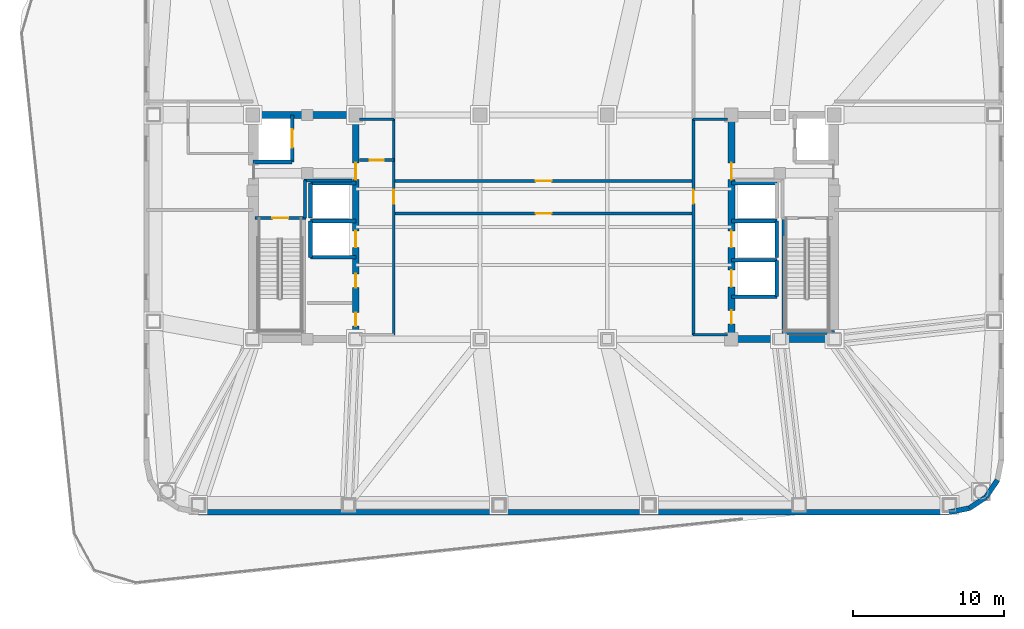
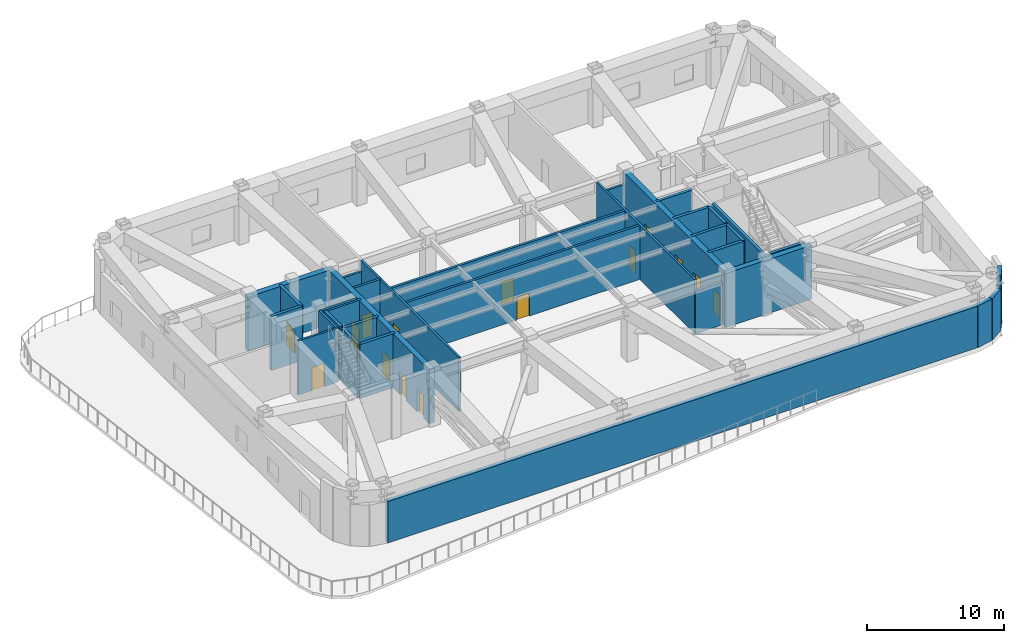
# One storey, part 4 of 10: 34 walls, 15 doors, 15 openings.
"""IFC4 building model written with IfcOpenShell, lengths in metres."""

from ifc_helpers import new_model, si_unit, direction, frame, frame_2d, origin, place, context, subcontext, project, spatial, rectangle, extrude, material, layer, layer_set, type_object, element, fill, save


model = new_model("IFC4")

# Units and contexts
model_context = context("Model", 3, precision=1e-05, world=origin(), true_north=direction((0.0, 1.0)))
body_context = subcontext(model_context, "Body", "Model", "MODEL_VIEW")
ifc_project = project(units=[si_unit("LENGTHUNIT", "METRE"), si_unit("AREAUNIT", "SQUARE_METRE"), si_unit("VOLUMEUNIT", "CUBIC_METRE"), si_unit("PLANEANGLEUNIT", "RADIAN"), si_unit("MASSUNIT", "GRAM", prefix="KILO")], contexts=[model_context])

# Site, building, storey
site_placement = place(None, origin())
site = spatial("IfcSite", under=ifc_project, at=site_placement, CompositionType="ELEMENT")
building_placement = place(site_placement, origin())
building = spatial("IfcBuilding", under=site, at=building_placement, Name="Voryun Gate Residences", CompositionType="ELEMENT")
storey_placement = place(building_placement, frame((0.0, 0.0, 195.0)))
storey = spatial("IfcBuildingStorey", under=building, at=storey_placement, Name="L48", CompositionType="ELEMENT", Elevation=195.0)

# Wall
ifc_material_1 = material(Name="Concrete C50/60", Category="concrete")
ifc_layer_1 = layer(ifc_material_1, 0.449951171875, Name="CW_CORE_450")
ifc_layer_set_1 = layer_set([ifc_layer_1], Name="Concrete C50/60")
wall_type_1 = type_object("IfcWallType", Name="CW_CORE_450", PredefinedType="SHEAR", material=ifc_layer_set_1)
wall_1_placement = place(storey_placement, frame((-19.425048828125, 7.39990234375, 0.0), z_axis=(0.0, 0.0, 1.0), x_axis=(1.0, 0.0, 0.0)))
element("IfcWall", 1, at=wall_1_placement, inside=storey, type_object=wall_type_1, Name="L48 Core shear wall CW-L48-WN", PredefinedType="SHEAR", context=body_context, shape_type="SweptSolid", body=[
    extrude(rectangle(XDim=7.25, YDim=0.449951171875, at=frame_2d((3.625, 0.0))), origin(), (0.0, 0.0, 1.0), 4.800048828125),
])

# Wall, openings, doors
wall_2_placement = place(storey_placement, frame((-12.39990234375, -7.39990234375, 0.0), z_axis=(0.0, 0.0, 1.0), x_axis=(0.0, 1.0, 0.0)))
wall_2 = element("IfcWall", 2, at=wall_2_placement, inside=storey, type_object=wall_type_1, Name="L48 Core shear wall CW-L48-WE", PredefinedType="SHEAR", context=body_context, shape_type="SweptSolid", body=[
    extrude(rectangle(XDim=14.7998046875, YDim=0.449951171875, at=frame_2d((7.39990234375, 0.0))), origin(), (0.0, 0.0, 1.0), 4.800048828125),
])
opening_1_placement = place(wall_2_placement, frame((6.050048828125, 0.0, 0.0)))
opening_1 = element("IfcOpeningElement", 3, at=opening_1_placement, cuts=wall_2, Name="Opening LD2", PredefinedType="OPENING", context=body_context, shape_type="SweptSolid", body=[
    extrude(rectangle(XDim=1.10009765625, YDim=2.050048828125, at=frame_2d((0.550048828125, 1.02490234375))), frame((0.0, 0.235107421875, 0.0), z_axis=(0.0, -1.0, 0.0), x_axis=(1.0, 0.0, 0.0)), (0.0, 0.0, 1.0), 0.469970703125),
])
opening_2_placement = place(wall_2_placement, frame((10.530029296875, 0.0, 0.0)))
opening_2 = element("IfcOpeningElement", 4, at=opening_2_placement, cuts=wall_2, Name="Opening D-FD60-2", PredefinedType="OPENING", context=body_context, shape_type="SweptSolid", body=[
    extrude(rectangle(XDim=1.10009765625, YDim=2.050048828125, at=frame_2d((0.550048828125, 1.02490234375))), frame((0.0, 0.235107421875, 0.0), z_axis=(0.0, -1.0, 0.0), x_axis=(1.0, 0.0, 0.0)), (0.0, 0.0, 1.0), 0.469970703125),
])
opening_3_placement = place(wall_2_placement, frame((0.85009765625, 0.0, 0.0)))
opening_3 = element("IfcOpeningElement", 5, at=opening_3_placement, cuts=wall_2, Name="Opening D-FD60-4", PredefinedType="OPENING", context=body_context, shape_type="SweptSolid", body=[
    extrude(rectangle(XDim=0.89990234375, YDim=2.050048828125, at=frame_2d((0.449951171875, 1.02490234375))), frame((0.0, 0.235107421875, 0.0), z_axis=(0.0, -1.0, 0.0), x_axis=(1.0, 0.0, 0.0)), (0.0, 0.0, 1.0), 0.469970703125),
])
opening_4_placement = place(wall_2_placement, frame((3.39990234375, 0.0, 0.0)))
opening_4 = element("IfcOpeningElement", 6, at=opening_4_placement, cuts=wall_2, Name="Opening D-FD60-4", PredefinedType="OPENING", context=body_context, shape_type="SweptSolid", body=[
    extrude(rectangle(XDim=0.89990234375, YDim=2.050048828125, at=frame_2d((0.449951171875, 1.02490234375))), frame((0.0, 0.235107421875, 0.0), z_axis=(0.0, -1.0, 0.0), x_axis=(1.0, 0.0, 0.0)), (0.0, 0.0, 1.0), 0.469970703125),
])
ifc_material_2 = material(Name="Painted steel fire door", Category="steel")
door_type_1 = type_object("IfcDoorType", Name="DR_FD60_FFLOB_1100", OperationType="NOTDEFINED", PredefinedType="DOOR", material=ifc_material_2)
door_1_placement = place(opening_2_placement, origin())
door_1 = element("IfcDoor", 7, at=door_1_placement, inside=storey, type_object=door_type_1, Name="Door DR-L48-CLOB-W", OperationType="SINGLE_SWING_LEFT", OverallHeight=2.050048828125, OverallWidth=1.10009765625, PredefinedType="DOOR", context=body_context, shape_type="SweptSolid", body=[
    extrude(rectangle(XDim=1.10009765625, YDim=2.050048828125, at=frame_2d((0.550048828125, 1.02490234375))), frame((0.0, 0.02490234375, 0.0), z_axis=(0.0, -1.0, 0.0), x_axis=(1.0, 0.0, 0.0)), (0.0, 0.0, 1.0), 0.050048828125),
])
fill(opening_2, door_1)
ifc_material_3 = material(Name="Painted steel fire door", Category="steel")
door_type_2 = type_object("IfcDoorType", Name="DR_FD60_RISER_900", OperationType="NOTDEFINED", PredefinedType="DOOR", material=ifc_material_3)
door_2_placement = place(opening_3_placement, origin())
door_2 = element("IfcDoor", 8, at=door_2_placement, inside=storey, type_object=door_type_2, Name="Door DR-L48-RECWB1", OperationType="SINGLE_SWING_LEFT", OverallHeight=2.050048828125, OverallWidth=0.89990234375, PredefinedType="DOOR", context=body_context, shape_type="SweptSolid", body=[
    extrude(rectangle(XDim=0.89990234375, YDim=2.050048828125, at=frame_2d((0.449951171875, 1.02490234375))), frame((0.0, 0.02490234375, 0.0), z_axis=(0.0, -1.0, 0.0), x_axis=(1.0, 0.0, 0.0)), (0.0, 0.0, 1.0), 0.050048828125),
])
fill(opening_3, door_2)
door_3_placement = place(opening_4_placement, origin())
door_3 = element("IfcDoor", 9, at=door_3_placement, inside=storey, type_object=door_type_2, Name="Door DR-L48-RECWB2", OperationType="SINGLE_SWING_RIGHT", OverallHeight=2.050048828125, OverallWidth=0.89990234375, PredefinedType="DOOR", context=body_context, shape_type="SweptSolid", body=[
    extrude(rectangle(XDim=0.89990234375, YDim=2.050048828125, at=frame_2d((0.449951171875, 1.02490234375))), frame((0.0, 0.02490234375, 0.0), z_axis=(0.0, -1.0, 0.0), x_axis=(1.0, 0.0, 0.0)), (0.0, 0.0, 1.0), 0.050048828125),
])
fill(opening_4, door_3)
ifc_material_4 = material(Name="Anodised aluminium", Category="aluminium")
door_type_3 = type_object("IfcDoorType", Name="DR_LD_PASS_1100", OperationType="NOTDEFINED", PredefinedType="DOOR", material=ifc_material_4)
door_4_placement = place(opening_1_placement, origin())
door_4 = element("IfcDoor", 10, at=door_4_placement, inside=storey, type_object=door_type_3, Name="Lift EL-P4 sliding landing door L48", OperationType="SLIDING_TO_LEFT", OverallHeight=2.050048828125, OverallWidth=1.10009765625, PredefinedType="DOOR", context=body_context, shape_type="SweptSolid", body=[
    extrude(rectangle(XDim=1.10009765625, YDim=2.050048828125, at=frame_2d((0.550048828125, 1.02490234375))), frame((0.0, 0.02490234375, 0.0), z_axis=(0.0, -1.0, 0.0), x_axis=(1.0, 0.0, 0.0)), (0.0, 0.0, 1.0), 0.050048828125),
])
fill(opening_1, door_4)

# Wall
wall_3_placement = place(storey_placement, frame((12.175048828125, -7.39990234375, 0.0), z_axis=(0.0, 0.0, 1.0), x_axis=(1.0, 0.0, 0.0)))
element("IfcWall", 11, at=wall_3_placement, inside=storey, type_object=wall_type_1, Name="L48 Core shear wall CW-L48-ES", PredefinedType="SHEAR", context=body_context, shape_type="SweptSolid", body=[
    extrude(rectangle(XDim=7.25, YDim=0.449951171875, at=frame_2d((3.625, 0.0))), origin(), (0.0, 0.0, 1.0), 4.800048828125),
])

# Wall, openings, doors
wall_4_placement = place(storey_placement, frame((12.39990234375, -7.39990234375, 0.0), z_axis=(0.0, 0.0, 1.0), x_axis=(0.0, 1.0, 0.0)))
wall_4 = element("IfcWall", 12, at=wall_4_placement, inside=storey, type_object=wall_type_1, Name="L48 Core shear wall CW-L48-EW", PredefinedType="SHEAR", context=body_context, shape_type="SweptSolid", body=[
    extrude(rectangle(XDim=14.7998046875, YDim=0.449951171875, at=frame_2d((7.39990234375, 0.0))), origin(), (0.0, 0.0, 1.0), 4.800048828125),
])
opening_5_placement = place(wall_4_placement, frame((3.449951171875, 0.0, 0.0)))
opening_5 = element("IfcOpeningElement", 13, at=opening_5_placement, cuts=wall_4, Name="Opening LD2", PredefinedType="OPENING", context=body_context, shape_type="SweptSolid", body=[
    extrude(rectangle(XDim=1.10009765625, YDim=2.050048828125, at=frame_2d((0.550048828125, 1.02490234375))), frame((0.0, 0.235107421875, 0.0), z_axis=(0.0, -1.0, 0.0), x_axis=(1.0, 0.0, 0.0)), (0.0, 0.0, 1.0), 0.469970703125),
])
opening_6_placement = place(wall_4_placement, frame((6.050048828125, 0.0, 0.0)))
opening_6 = element("IfcOpeningElement", 14, at=opening_6_placement, cuts=wall_4, Name="Opening LD2", PredefinedType="OPENING", context=body_context, shape_type="SweptSolid", body=[
    extrude(rectangle(XDim=1.10009765625, YDim=2.050048828125, at=frame_2d((0.550048828125, 1.02490234375))), frame((0.0, 0.235107421875, 0.0), z_axis=(0.0, -1.0, 0.0), x_axis=(1.0, 0.0, 0.0)), (0.0, 0.0, 1.0), 0.469970703125),
])
opening_7_placement = place(wall_4_placement, frame((10.530029296875, 0.0, 0.0)))
opening_7 = element("IfcOpeningElement", 15, at=opening_7_placement, cuts=wall_4, Name="Opening D-FD60-2", PredefinedType="OPENING", context=body_context, shape_type="SweptSolid", body=[
    extrude(rectangle(XDim=1.10009765625, YDim=2.050048828125, at=frame_2d((0.550048828125, 1.02490234375))), frame((0.0, 0.235107421875, 0.0), z_axis=(0.0, -1.0, 0.0), x_axis=(1.0, 0.0, 0.0)), (0.0, 0.0, 1.0), 0.469970703125),
])
opening_8_placement = place(wall_4_placement, frame((1.0, 0.0, 0.0)))
opening_8 = element("IfcOpeningElement", 16, at=opening_8_placement, cuts=wall_4, Name="Opening D-FD60-4", PredefinedType="OPENING", context=body_context, shape_type="SweptSolid", body=[
    extrude(rectangle(XDim=0.89990234375, YDim=2.050048828125, at=frame_2d((0.449951171875, 1.02490234375))), frame((0.0, 0.235107421875, 0.0), z_axis=(0.0, -1.0, 0.0), x_axis=(1.0, 0.0, 0.0)), (0.0, 0.0, 1.0), 0.469970703125),
])
door_5_placement = place(opening_7_placement, origin())
door_5 = element("IfcDoor", 17, at=door_5_placement, inside=storey, type_object=door_type_1, Name="Door DR-L48-CLOB-E", OperationType="SINGLE_SWING_RIGHT", OverallHeight=2.050048828125, OverallWidth=1.10009765625, PredefinedType="DOOR", context=body_context, shape_type="SweptSolid", body=[
    extrude(rectangle(XDim=1.10009765625, YDim=2.050048828125, at=frame_2d((0.550048828125, 1.02490234375))), frame((0.0, 0.02490234375, 0.0), z_axis=(0.0, -1.0, 0.0), x_axis=(1.0, 0.0, 0.0)), (0.0, 0.0, 1.0), 0.050048828125),
])
fill(opening_7, door_5)
door_6_placement = place(opening_8_placement, origin())
door_6 = element("IfcDoor", 18, at=door_6_placement, inside=storey, type_object=door_type_2, Name="Door DR-L48-RECE1", OperationType="SINGLE_SWING_RIGHT", OverallHeight=2.050048828125, OverallWidth=0.89990234375, PredefinedType="DOOR", context=body_context, shape_type="SweptSolid", body=[
    extrude(rectangle(XDim=0.89990234375, YDim=2.050048828125, at=frame_2d((0.449951171875, 1.02490234375))), frame((0.0, 0.02490234375, 0.0), z_axis=(0.0, -1.0, 0.0), x_axis=(1.0, 0.0, 0.0)), (0.0, 0.0, 1.0), 0.050048828125),
])
fill(opening_8, door_6)
door_7_placement = place(opening_5_placement, origin())
door_7 = element("IfcDoor", 19, at=door_7_placement, inside=storey, type_object=door_type_3, Name="Lift EL-P5 sliding landing door L48", OperationType="SLIDING_TO_LEFT", OverallHeight=2.050048828125, OverallWidth=1.10009765625, PredefinedType="DOOR", context=body_context, shape_type="SweptSolid", body=[
    extrude(rectangle(XDim=1.10009765625, YDim=2.050048828125, at=frame_2d((0.550048828125, 1.02490234375))), frame((0.0, 0.02490234375, 0.0), z_axis=(0.0, -1.0, 0.0), x_axis=(1.0, 0.0, 0.0)), (0.0, 0.0, 1.0), 0.050048828125),
])
fill(opening_5, door_7)
door_8_placement = place(opening_6_placement, origin())
door_8 = element("IfcDoor", 20, at=door_8_placement, inside=storey, type_object=door_type_3, Name="Lift EL-P6 sliding landing door L48", OperationType="SLIDING_TO_LEFT", OverallHeight=2.050048828125, OverallWidth=1.10009765625, PredefinedType="DOOR", context=body_context, shape_type="SweptSolid", body=[
    extrude(rectangle(XDim=1.10009765625, YDim=2.050048828125, at=frame_2d((0.550048828125, 1.02490234375))), frame((0.0, 0.02490234375, 0.0), z_axis=(0.0, -1.0, 0.0), x_axis=(1.0, 0.0, 0.0)), (0.0, 0.0, 1.0), 0.050048828125),
])
fill(opening_6, door_8)

# Wall, opening, door
ifc_material_5 = material(Name="Gypsum acoustic fireboard")
ifc_layer_2 = layer(ifc_material_5, 0.179931640625, Name="W_CORR_RATED_180")
ifc_layer_set_2 = layer_set([ifc_layer_2], Name="Gypsum acoustic fireboard")
wall_type_2 = type_object("IfcWallType", Name="W_CORR_RATED_180", PredefinedType="PARTITIONING", material=ifc_layer_set_2)
wall_5_placement = place(storey_placement, frame((-19.06005859375, 0.60009765625, 0.0), z_axis=(0.0, 0.0, 1.0), x_axis=(1.0, 0.0, 0.0)))
wall_5 = element("IfcWall", 21, at=wall_5_placement, inside=storey, type_object=wall_type_2, Name="Partition wall WP-L48-STV-W", PredefinedType="PARTITIONING", context=body_context, shape_type="SweptSolid", body=[
    extrude(rectangle(XDim=3.360107421875, YDim=0.179931640625, at=frame_2d((1.68017578125, 0.0))), origin(), (0.0, 0.0, 1.0), 4.800048828125),
])
opening_9_placement = place(wall_5_placement, frame((1.155029296875, 0.0, 0.0)))
opening_9 = element("IfcOpeningElement", 22, at=opening_9_placement, cuts=wall_5, Name="Opening D-FD60-1", PredefinedType="OPENING", context=body_context, shape_type="SweptSolid", body=[
    extrude(rectangle(XDim=1.050048828125, YDim=2.050048828125, at=frame_2d((0.52490234375, 1.02490234375))), frame((0.0, 0.099853515625, 0.0), z_axis=(0.0, -1.0, 0.0), x_axis=(1.0, 0.0, 0.0)), (0.0, 0.0, 1.0), 0.199951171875),
])
ifc_material_6 = material(Name="Painted steel fire door", Category="steel")
door_type_4 = type_object("IfcDoorType", Name="DR_FD60_STAIR_1050", OperationType="NOTDEFINED", PredefinedType="DOOR", material=ifc_material_6)
door_9_placement = place(opening_9_placement, origin())
door_9 = element("IfcDoor", 23, at=door_9_placement, inside=storey, type_object=door_type_4, Name="Door DR-L48-ST-W", OperationType="SINGLE_SWING_LEFT", OverallHeight=2.050048828125, OverallWidth=1.050048828125, PredefinedType="DOOR", context=body_context, shape_type="SweptSolid", body=[
    extrude(rectangle(XDim=1.050048828125, YDim=2.050048828125, at=frame_2d((0.52490234375, 1.02490234375))), frame((0.0, 0.02490234375, 0.0), z_axis=(0.0, -1.0, 0.0), x_axis=(1.0, 0.0, 0.0)), (0.0, 0.0, 1.0), 0.050048828125),
])
fill(opening_9, door_9)

# Walls
for number, where, z_axis, x_axis, name in (
    (24, (-12.14990234375, 7.1201171875, 0.0), (0.0, 0.0, 1.0), (1.0, 0.0, 0.0), "Partition wall WP-L48-PLBN-W"),
    (25, (9.8798828125, 7.1201171875, 0.0), (0.0, 0.0, 1.0), (1.0, 0.0, 0.0), "Partition wall WP-L48-PLBN-E"),
    (26, (9.8798828125, -7.1201171875, 0.0), (0.0, 0.0, 1.0), (1.0, 0.0, 0.0), "Partition wall WP-L48-PLBS-E"),
):
    element("IfcWall", number, at=place(storey_placement, frame(where, z_axis=z_axis, x_axis=x_axis)), inside=storey, type_object=wall_type_2, Name=name, PredefinedType="PARTITIONING", context=body_context, shape_type="SweptSolid", body=[
        extrude(rectangle(XDim=2.27001953125, YDim=0.179931640625, at=frame_2d((1.135009765625, 0.0))), origin(), (0.0, 0.0, 1.0), 3.840087890625),
    ])

# Wall, opening, door
wall_6_placement = place(storey_placement, frame((-9.89990234375, -7.139892578125, 0.0), z_axis=(0.0, 0.0, 1.0), x_axis=(0.0, 1.0, 0.0)))
wall_6 = element("IfcWall", 27, at=wall_6_placement, inside=storey, type_object=wall_type_2, Name="Partition wall WP-L48-PLBW", PredefinedType="PARTITIONING", context=body_context, shape_type="SweptSolid", body=[
    extrude(rectangle(XDim=14.27978515625, YDim=0.179931640625, at=frame_2d((7.139892578125, 0.0))), origin(), (0.0, 0.0, 1.0), 4.800048828125),
])
opening_10_placement = place(wall_6_placement, frame((8.689208984375, 0.0, 0.0)))
opening_10 = element("IfcOpeningElement", 28, at=opening_10_placement, cuts=wall_6, Name="Opening D-FD60-4", PredefinedType="OPENING", context=body_context, shape_type="SweptSolid", body=[
    extrude(rectangle(XDim=0.89990234375, YDim=2.050048828125, at=frame_2d((0.449951171875, 1.02490234375))), frame((0.0, 0.099853515625, 0.0), z_axis=(0.0, -1.0, 0.0), x_axis=(1.0, 0.0, 0.0)), (0.0, 0.0, 1.0), 0.199951171875),
])
door_10_placement = place(opening_10_placement, origin())
door_10 = element("IfcDoor", 29, at=door_10_placement, inside=storey, type_object=door_type_2, Name="Door DR-L48-PLBW", OperationType="SINGLE_SWING_LEFT", OverallHeight=2.050048828125, OverallWidth=0.89990234375, PredefinedType="DOOR", context=body_context, shape_type="SweptSolid", body=[
    extrude(rectangle(XDim=0.89990234375, YDim=2.050048828125, at=frame_2d((0.449951171875, 1.02490234375))), frame((0.0, 0.02490234375, 0.0), z_axis=(0.0, -1.0, 0.0), x_axis=(1.0, 0.0, 0.0)), (0.0, 0.0, 1.0), 0.050048828125),
])
fill(opening_10, door_10)

wall_7_placement = place(storey_placement, frame((9.89990234375, -7.139892578125, 0.0), z_axis=(0.0, 0.0, 1.0), x_axis=(0.0, 1.0, 0.0)))
wall_7 = element("IfcWall", 30, at=wall_7_placement, inside=storey, type_object=wall_type_2, Name="Partition wall WP-L48-PLBE", PredefinedType="PARTITIONING", context=body_context, shape_type="SweptSolid", body=[
    extrude(rectangle(XDim=14.27978515625, YDim=0.179931640625, at=frame_2d((7.139892578125, 0.0))), origin(), (0.0, 0.0, 1.0), 4.800048828125),
])
opening_11_placement = place(wall_7_placement, frame((8.689208984375, 0.0, 0.0)))
opening_11 = element("IfcOpeningElement", 31, at=opening_11_placement, cuts=wall_7, Name="Opening D-FD60-4", PredefinedType="OPENING", context=body_context, shape_type="SweptSolid", body=[
    extrude(rectangle(XDim=0.89990234375, YDim=2.050048828125, at=frame_2d((0.449951171875, 1.02490234375))), frame((0.0, 0.099853515625, 0.0), z_axis=(0.0, -1.0, 0.0), x_axis=(1.0, 0.0, 0.0)), (0.0, 0.0, 1.0), 0.199951171875),
])
door_11_placement = place(opening_11_placement, origin())
door_11 = element("IfcDoor", 32, at=door_11_placement, inside=storey, type_object=door_type_2, Name="Door DR-L48-PLBE", OperationType="SINGLE_SWING_RIGHT", OverallHeight=2.050048828125, OverallWidth=0.89990234375, PredefinedType="DOOR", context=body_context, shape_type="SweptSolid", body=[
    extrude(rectangle(XDim=0.89990234375, YDim=2.050048828125, at=frame_2d((0.449951171875, 1.02490234375))), frame((0.0, 0.02490234375, 0.0), z_axis=(0.0, -1.0, 0.0), x_axis=(1.0, 0.0, 0.0)), (0.0, 0.0, 1.0), 0.050048828125),
])
fill(opening_11, door_11)

# Walls
ifc_material_7 = material(Name="Charcoal terracotta masonry", Category="masonry")
ifc_layer_3 = layer(ifc_material_7, 0.340087890625, Name="W_EXT_TERRACOTTA_340")
ifc_layer_set_3 = layer_set([ifc_layer_3], Name="Charcoal terracotta masonry")
wall_type_3 = type_object("IfcWallType", Name="W_EXT_TERRACOTTA_340", PredefinedType="ELEMENTEDWALL", material=ifc_layer_set_3)
wall_8_placement = place(storey_placement, frame((26.783203125, -18.830078125, 0.0), z_axis=(0.0, 0.0, 1.0), x_axis=(-1.0, 0.0, 0.0)))
element("IfcWall", 33, at=wall_8_placement, inside=storey, type_object=wall_type_3, Name="Exterior wall WEXT-L48-01", PredefinedType="ELEMENTEDWALL", context=body_context, shape_type="SweptSolid", body=[
    extrude(rectangle(XDim=49.56640625, YDim=0.340087890625, at=frame_2d((24.783203125, 0.0))), origin(), (0.0, 0.0, 1.0), 3.68994140625),
])
wall_9_placement = place(storey_placement, frame((29.9658203125, -16.711181640625, 0.0), z_axis=(0.0, 0.0, 1.0), x_axis=(-0.555584683399, -0.831459956686, 0.0)))
element("IfcWall", 34, at=wall_9_placement, inside=storey, type_object=wall_type_3, Name="Exterior wall WEXT-L48-18", PredefinedType="ELEMENTEDWALL", context=body_context, shape_type="SweptSolid", body=[
    extrude(rectangle(XDim=1.337158203125, YDim=0.340087890625, at=frame_2d((0.66845703125, 0.0))), origin(), (0.0, 0.0, 1.0), 4.800048828125),
])
wall_10_placement = place(storey_placement, frame((29.222900390625, -17.822998046875, 0.0), z_axis=(0.0, 0.0, 1.0), x_axis=(-0.831403586725, -0.555669034571, 0.0)))
element("IfcWall", 35, at=wall_10_placement, inside=storey, type_object=wall_type_3, Name="Exterior wall WEXT-L48-19", PredefinedType="ELEMENTEDWALL", context=body_context, shape_type="SweptSolid", body=[
    extrude(rectangle(XDim=1.3369140625, YDim=0.340087890625, at=frame_2d((0.66845703125, 0.0))), origin(), (0.0, 0.0, 1.0), 3.68994140625),
])
wall_11_placement = place(storey_placement, frame((28.111328125, -18.56591796875, 0.0), z_axis=(0.0, 0.0, 1.0), x_axis=(-0.980788153188, -0.195075878998, 0.0)))
element("IfcWall", 36, at=wall_11_placement, inside=storey, type_object=wall_type_3, Name="Exterior wall WEXT-L48-20", PredefinedType="ELEMENTEDWALL", context=body_context, shape_type="SweptSolid", body=[
    extrude(rectangle(XDim=1.354248046875, YDim=0.340087890625, at=frame_2d((0.67724609375, 0.0))), origin(), (0.0, 0.0, 1.0), 3.68994140625),
])
ifc_material_8 = material(Name="Concrete C40/50", Category="concrete")
ifc_layer_4 = layer(ifc_material_8, 0.199951171875, Name="W_FF_LOBBY_200")
ifc_layer_set_4 = layer_set([ifc_layer_4], Name="Concrete C40/50")
wall_type_4 = type_object("IfcWallType", Name="W_FF_LOBBY_200", PredefinedType="PARTITIONING", material=ifc_layer_set_4)
wall_12_placement = place(storey_placement, frame((-15.760009765625, 0.580078125, 0.0), z_axis=(0.0, 0.0, 1.0), x_axis=(0.0, 1.0, 0.0)))
element("IfcWall", 37, at=wall_12_placement, inside=storey, type_object=wall_type_4, Name="Partition wall WP-L48-FFP0-W", PredefinedType="PARTITIONING", context=body_context, shape_type="SweptSolid", body=[
    extrude(rectangle(XDim=2.52001953125, YDim=0.199951171875, at=frame_2d((1.260009765625, 0.0))), origin(), (0.0, 0.0, 1.0), 4.800048828125),
])
wall_13_placement = place(storey_placement, frame((-15.820068359375, 3.06005859375, 0.0), z_axis=(0.0, 0.0, 1.0), x_axis=(1.0, 0.0, 0.0)))
element("IfcWall", 38, at=wall_13_placement, inside=storey, type_object=wall_type_4, Name="Partition wall WP-L48-FFPS-W", PredefinedType="PARTITIONING", context=body_context, shape_type="SweptSolid", body=[
    extrude(rectangle(XDim=3.16015625, YDim=0.199951171875, at=frame_2d((1.580078125, 0.0))), origin(), (0.0, 0.0, 1.0), 4.800048828125),
])

# Wall, opening, door
wall_14_placement = place(storey_placement, frame((-12.14990234375, 4.409912109375, 0.0), z_axis=(0.0, 0.0, 1.0), x_axis=(1.0, 0.0, 0.0)))
wall_14 = element("IfcWall", 39, at=wall_14_placement, inside=storey, type_object=wall_type_4, Name="Partition wall WP-L48-CSFLKS-W", PredefinedType="PARTITIONING", context=body_context, shape_type="SweptSolid", body=[
    extrude(rectangle(XDim=2.27001953125, YDim=0.199951171875, at=frame_2d((1.135009765625, 0.0))), origin(), (0.0, 0.0, 1.0), 4.800048828125),
])
opening_12_placement = place(wall_14_placement, frame((0.68505859375, 0.0, 0.0)))
opening_12 = element("IfcOpeningElement", 40, at=opening_12_placement, cuts=wall_14, Name="Opening D-FD60-4", PredefinedType="OPENING", context=body_context, shape_type="SweptSolid", body=[
    extrude(rectangle(XDim=0.89990234375, YDim=2.050048828125, at=frame_2d((0.449951171875, 1.02490234375))), frame((0.0, 0.110107421875, 0.0), z_axis=(0.0, -1.0, 0.0), x_axis=(1.0, 0.0, 0.0)), (0.0, 0.0, 1.0), 0.219970703125),
])
door_12_placement = place(opening_12_placement, origin())
door_12 = element("IfcDoor", 41, at=door_12_placement, inside=storey, type_object=door_type_2, Name="Door DR-L48-CSFLK-W", OperationType="SINGLE_SWING_LEFT", OverallHeight=2.050048828125, OverallWidth=0.89990234375, PredefinedType="DOOR", context=body_context, shape_type="SweptSolid", body=[
    extrude(rectangle(XDim=0.89990234375, YDim=2.050048828125, at=frame_2d((0.449951171875, 1.02490234375))), frame((0.0, 0.02490234375, 0.0), z_axis=(0.0, -1.0, 0.0), x_axis=(1.0, 0.0, 0.0)), (0.0, 0.0, 1.0), 0.050048828125),
])
fill(opening_12, door_12)

wall_15_placement = place(storey_placement, frame((-9.949951171875, 3.0400390625, 0.0), z_axis=(0.0, 0.0, 1.0), x_axis=(1.0, 0.0, 0.0)))
wall_15 = element("IfcWall", 42, at=wall_15_placement, inside=storey, type_object=wall_type_4, Name="Partition wall WP-L48-RN", PredefinedType="PARTITIONING", context=body_context, shape_type="SweptSolid", body=[
    extrude(rectangle(XDim=19.89990234375, YDim=0.199951171875, at=frame_2d((9.949951171875, 0.0))), origin(), (0.0, 0.0, 1.0), 4.800048828125),
])
opening_13_placement = place(wall_15_placement, frame((9.425048828125, 0.0, 0.0)))
opening_13 = element("IfcOpeningElement", 43, at=opening_13_placement, cuts=wall_15, Name="Opening D-FD60-1", PredefinedType="OPENING", context=body_context, shape_type="SweptSolid", body=[
    extrude(rectangle(XDim=1.050048828125, YDim=2.050048828125, at=frame_2d((0.52490234375, 1.02490234375))), frame((0.0, 0.110107421875, 0.0), z_axis=(0.0, -1.0, 0.0), x_axis=(1.0, 0.0, 0.0)), (0.0, 0.0, 1.0), 0.219970703125),
])
door_13_placement = place(opening_13_placement, origin())
door_13 = element("IfcDoor", 44, at=door_13_placement, inside=storey, type_object=door_type_4, Name="Door DR-L48-PL1", OperationType="SINGLE_SWING_LEFT", OverallHeight=2.050048828125, OverallWidth=1.050048828125, PredefinedType="DOOR", context=body_context, shape_type="SweptSolid", body=[
    extrude(rectangle(XDim=1.050048828125, YDim=2.050048828125, at=frame_2d((0.52490234375, 1.02490234375))), frame((0.0, 0.02490234375, 0.0), z_axis=(0.0, -1.0, 0.0), x_axis=(1.0, 0.0, 0.0)), (0.0, 0.0, 1.0), 0.050048828125),
])
fill(opening_13, door_13)

wall_16_placement = place(storey_placement, frame((-9.949951171875, 0.89990234375, 0.0), z_axis=(0.0, 0.0, 1.0), x_axis=(1.0, 0.0, 0.0)))
wall_16 = element("IfcWall", 45, at=wall_16_placement, inside=storey, type_object=wall_type_4, Name="Partition wall WP-L48-RS", PredefinedType="PARTITIONING", context=body_context, shape_type="SweptSolid", body=[
    extrude(rectangle(XDim=19.89990234375, YDim=0.199951171875, at=frame_2d((9.949951171875, 0.0))), origin(), (0.0, 0.0, 1.0), 4.800048828125),
])
opening_14_placement = place(wall_16_placement, frame((9.425048828125, 0.0, 0.0)))
opening_14 = element("IfcOpeningElement", 46, at=opening_14_placement, cuts=wall_16, Name="Opening D-FD60-1", PredefinedType="OPENING", context=body_context, shape_type="SweptSolid", body=[
    extrude(rectangle(XDim=1.050048828125, YDim=2.050048828125, at=frame_2d((0.52490234375, 1.02490234375))), frame((0.0, 0.110107421875, 0.0), z_axis=(0.0, -1.0, 0.0), x_axis=(1.0, 0.0, 0.0)), (0.0, 0.0, 1.0), 0.219970703125),
])
door_14_placement = place(opening_14_placement, origin())
door_14 = element("IfcDoor", 47, at=door_14_placement, inside=storey, type_object=door_type_4, Name="Door DR-L48-PL2", OperationType="SINGLE_SWING_RIGHT", OverallHeight=2.050048828125, OverallWidth=1.050048828125, PredefinedType="DOOR", context=body_context, shape_type="SweptSolid", body=[
    extrude(rectangle(XDim=1.050048828125, YDim=2.050048828125, at=frame_2d((0.52490234375, 1.02490234375))), frame((0.0, 0.02490234375, 0.0), z_axis=(0.0, -1.0, 0.0), x_axis=(1.0, 0.0, 0.0)), (0.0, 0.0, 1.0), 0.050048828125),
])
fill(opening_14, door_14)

# Walls
ifc_material_9 = material(Name="Concrete C50/60", Category="concrete")
ifc_layer_5 = layer(ifc_material_9, 0.25, Name="W_SHAFT_RC250")
ifc_layer_set_5 = layer_set([ifc_layer_5], Name="Concrete C50/60")
wall_type_5 = type_object("IfcWallType", Name="W_SHAFT_RC250", PredefinedType="SOLIDWALL", material=ifc_layer_set_5)
wall_17_placement = place(storey_placement, frame((15.860107421875, -7.0849609375, 0.0), z_axis=(0.0, 0.0, 1.0), x_axis=(0.0, 1.0, 0.0)))
element("IfcWall", 48, at=wall_17_placement, inside=storey, type_object=wall_type_5, Name="L48 Stair shaft structural wall E-STL", PredefinedType="SOLIDWALL", context=body_context, shape_type="SweptSolid", body=[
    extrude(rectangle(XDim=7.68505859375, YDim=0.25, at=frame_2d((3.842529296875, 0.0))), origin(), (0.0, 0.0, 1.0), 4.800048828125),
])
wall_18_placement = place(storey_placement, frame((15.739990234375, -6.965087890625, 0.0), z_axis=(0.0, 0.0, 1.0), x_axis=(1.0, 0.0, 0.0)))
element("IfcWall", 49, at=wall_18_placement, inside=storey, type_object=wall_type_5, Name="L48 Stair shaft structural wall E-STS", PredefinedType="SOLIDWALL", context=body_context, shape_type="SweptSolid", body=[
    extrude(rectangle(XDim=3.4599609375, YDim=0.25, at=frame_2d((1.72998046875, 0.0))), origin(), (0.0, 0.0, 1.0), 4.800048828125),
])
wall_19_placement = place(storey_placement, frame((-19.199951171875, 4.300048828125, 0.0), z_axis=(0.0, 0.0, 1.0), x_axis=(1.0, 0.0, 0.0)))
element("IfcWall", 50, at=wall_19_placement, inside=storey, type_object=wall_type_5, Name="Lift shaft wall WSH-L48-EL-FF-W1-S", PredefinedType="SOLIDWALL", context=body_context, shape_type="SweptSolid", body=[
    extrude(rectangle(XDim=2.599853515625, YDim=0.25, at=frame_2d((1.2998046875, 0.0))), origin(), (0.0, 0.0, 1.0), 4.800048828125),
])

# Wall, opening, door
wall_20_placement = place(storey_placement, frame((-16.60009765625, 4.300048828125, 0.0), z_axis=(0.0, 0.0, 1.0), x_axis=(0.0, 1.0, 0.0)))
wall_20 = element("IfcWall", 51, at=wall_20_placement, inside=storey, type_object=wall_type_5, Name="Lift shaft wall WSH-L48-EL-FF-W1-E", PredefinedType="SOLIDWALL", context=body_context, shape_type="SweptSolid", body=[
    extrude(rectangle(XDim=3.099853515625, YDim=0.25, at=frame_2d((1.5498046875, 0.0))), origin(), (0.0, 0.0, 1.0), 4.800048828125),
])
opening_15_placement = place(wall_20_placement, frame((0.949951171875, 0.0, 0.0)))
opening_15 = element("IfcOpeningElement", 52, at=opening_15_placement, cuts=wall_20, Name="Opening LD1", PredefinedType="OPENING", context=body_context, shape_type="SweptSolid", body=[
    extrude(rectangle(XDim=1.199951171875, YDim=2.050048828125, at=frame_2d((0.60009765625, 1.02490234375))), frame((0.0, 0.135009765625, 0.0), z_axis=(0.0, -1.0, 0.0), x_axis=(1.0, 0.0, 0.0)), (0.0, 0.0, 1.0), 0.27001953125),
])
ifc_material_10 = material(Name="Anodised aluminium", Category="aluminium")
door_type_5 = type_object("IfcDoorType", Name="DR_LD_FF_1200", OperationType="NOTDEFINED", PredefinedType="DOOR", material=ifc_material_10)
door_15_placement = place(opening_15_placement, origin())
door_15 = element("IfcDoor", 53, at=door_15_placement, inside=storey, type_object=door_type_5, Name="Lift EL-FF-W1 sliding landing door L48", OperationType="SLIDING_TO_LEFT", OverallHeight=2.050048828125, OverallWidth=1.199951171875, PredefinedType="DOOR", context=body_context, shape_type="SweptSolid", body=[
    extrude(rectangle(XDim=1.199951171875, YDim=2.050048828125, at=frame_2d((0.60009765625, 1.02490234375))), frame((0.0, 0.02490234375, 0.0), z_axis=(0.0, -1.0, 0.0), x_axis=(1.0, 0.0, 0.0)), (0.0, 0.0, 1.0), 0.050048828125),
])
fill(opening_15, door_15)

# Walls
for number, where, z_axis, x_axis, name in (
    (54, (-15.39990234375, -2.0, 0.0), (0.0, 0.0, 1.0), (1.0, 0.0, 0.0), "Lift shaft wall WSH-L48-EL-P4-S"),
    (55, (-12.39990234375, 0.39990234375, 0.0), (0.0, 0.0, 1.0), (-1.0, 0.0, 0.0), "Lift shaft wall WSH-L48-EL-P4-N"),
):
    element("IfcWall", number, at=place(storey_placement, frame(where, z_axis=z_axis, x_axis=x_axis)), inside=storey, type_object=wall_type_5, Name=name, PredefinedType="SOLIDWALL", context=body_context, shape_type="SweptSolid", body=[
        extrude(rectangle(XDim=3.0, YDim=0.25, at=frame_2d((1.5, 0.0))), origin(), (0.0, 0.0, 1.0), 4.800048828125),
    ])
wall_21_placement = place(storey_placement, frame((-15.39990234375, 0.39990234375, 0.0), z_axis=(0.0, 0.0, 1.0), x_axis=(0.0, -1.0, 0.0)))
element("IfcWall", 56, at=wall_21_placement, inside=storey, type_object=wall_type_5, Name="Lift shaft wall WSH-L48-EL-P4-W", PredefinedType="SOLIDWALL", context=body_context, shape_type="SweptSolid", body=[
    extrude(rectangle(XDim=2.39990234375, YDim=0.25, at=frame_2d((1.199951171875, 0.0))), origin(), (0.0, 0.0, 1.0), 4.800048828125),
])
wall_22_placement = place(storey_placement, frame((12.39990234375, -4.60009765625, 0.0), z_axis=(0.0, 0.0, 1.0), x_axis=(1.0, 0.0, 0.0)))
element("IfcWall", 57, at=wall_22_placement, inside=storey, type_object=wall_type_5, Name="Lift shaft wall WSH-L48-EL-P5-S", PredefinedType="SOLIDWALL", context=body_context, shape_type="SweptSolid", body=[
    extrude(rectangle(XDim=3.0, YDim=0.25, at=frame_2d((1.5, 0.0))), origin(), (0.0, 0.0, 1.0), 4.800048828125),
])
wall_23_placement = place(storey_placement, frame((15.39990234375, -4.60009765625, 0.0), z_axis=(0.0, 0.0, 1.0), x_axis=(0.0, 1.0, 0.0)))
element("IfcWall", 58, at=wall_23_placement, inside=storey, type_object=wall_type_5, Name="Lift shaft wall WSH-L48-EL-P5-E", PredefinedType="SOLIDWALL", context=body_context, shape_type="SweptSolid", body=[
    extrude(rectangle(XDim=2.400146484375, YDim=0.25, at=frame_2d((1.2001953125, 0.0))), origin(), (0.0, 0.0, 1.0), 4.800048828125),
])
wall_24_placement = place(storey_placement, frame((15.39990234375, -2.199951171875, 0.0), z_axis=(0.0, 0.0, 1.0), x_axis=(-1.0, 0.0, 0.0)))
element("IfcWall", 59, at=wall_24_placement, inside=storey, type_object=wall_type_5, Name="Lift shaft wall WSH-L48-EL-P5-N", PredefinedType="SOLIDWALL", context=body_context, shape_type="SweptSolid", body=[
    extrude(rectangle(XDim=3.0, YDim=0.25, at=frame_2d((1.5, 0.0))), origin(), (0.0, 0.0, 1.0), 4.800048828125),
])
wall_25_placement = place(storey_placement, frame((15.39990234375, -2.0, 0.0), z_axis=(0.0, 0.0, 1.0), x_axis=(0.0, 1.0, 0.0)))
element("IfcWall", 60, at=wall_25_placement, inside=storey, type_object=wall_type_5, Name="Lift shaft wall WSH-L48-EL-P6-E", PredefinedType="SOLIDWALL", context=body_context, shape_type="SweptSolid", body=[
    extrude(rectangle(XDim=2.39990234375, YDim=0.25, at=frame_2d((1.199951171875, 0.0))), origin(), (0.0, 0.0, 1.0), 4.800048828125),
])
for number, where, z_axis, x_axis, name in (
    (61, (15.39990234375, 0.39990234375, 0.0), (0.0, 0.0, 1.0), (-1.0, 0.0, 0.0), "Lift shaft wall WSH-L48-EL-P6-N"),
    (62, (-12.39990234375, 2.89990234375, 0.0), (0.0, 0.0, 1.0), (-1.0, 0.0, 0.0), "Lift shaft wall WSH-L48-EL-P7-N"),
):
    element("IfcWall", number, at=place(storey_placement, frame(where, z_axis=z_axis, x_axis=x_axis)), inside=storey, type_object=wall_type_5, Name=name, PredefinedType="SOLIDWALL", context=body_context, shape_type="SweptSolid", body=[
        extrude(rectangle(XDim=3.0, YDim=0.25, at=frame_2d((1.5, 0.0))), origin(), (0.0, 0.0, 1.0), 4.800048828125),
    ])
wall_26_placement = place(storey_placement, frame((-15.39990234375, 2.89990234375, 0.0), z_axis=(0.0, 0.0, 1.0), x_axis=(0.0, -1.0, 0.0)))
element("IfcWall", 63, at=wall_26_placement, inside=storey, type_object=wall_type_5, Name="Lift shaft wall WSH-L48-EL-P7-W", PredefinedType="SOLIDWALL", context=body_context, shape_type="SweptSolid", body=[
    extrude(rectangle(XDim=2.2998046875, YDim=0.25, at=frame_2d((1.14990234375, 0.0))), origin(), (0.0, 0.0, 1.0), 4.800048828125),
])
wall_27_placement = place(storey_placement, frame((15.39990234375, 2.89990234375, 0.0), z_axis=(0.0, 0.0, 1.0), x_axis=(-1.0, 0.0, 0.0)))
element("IfcWall", 64, at=wall_27_placement, inside=storey, type_object=wall_type_5, Name="Lift shaft wall WSH-L48-EL-P8-N", PredefinedType="SOLIDWALL", context=body_context, shape_type="SweptSolid", body=[
    extrude(rectangle(XDim=3.0, YDim=0.25, at=frame_2d((1.5, 0.0))), origin(), (0.0, 0.0, 1.0), 4.800048828125),
])

save(model, "model.ifc")
